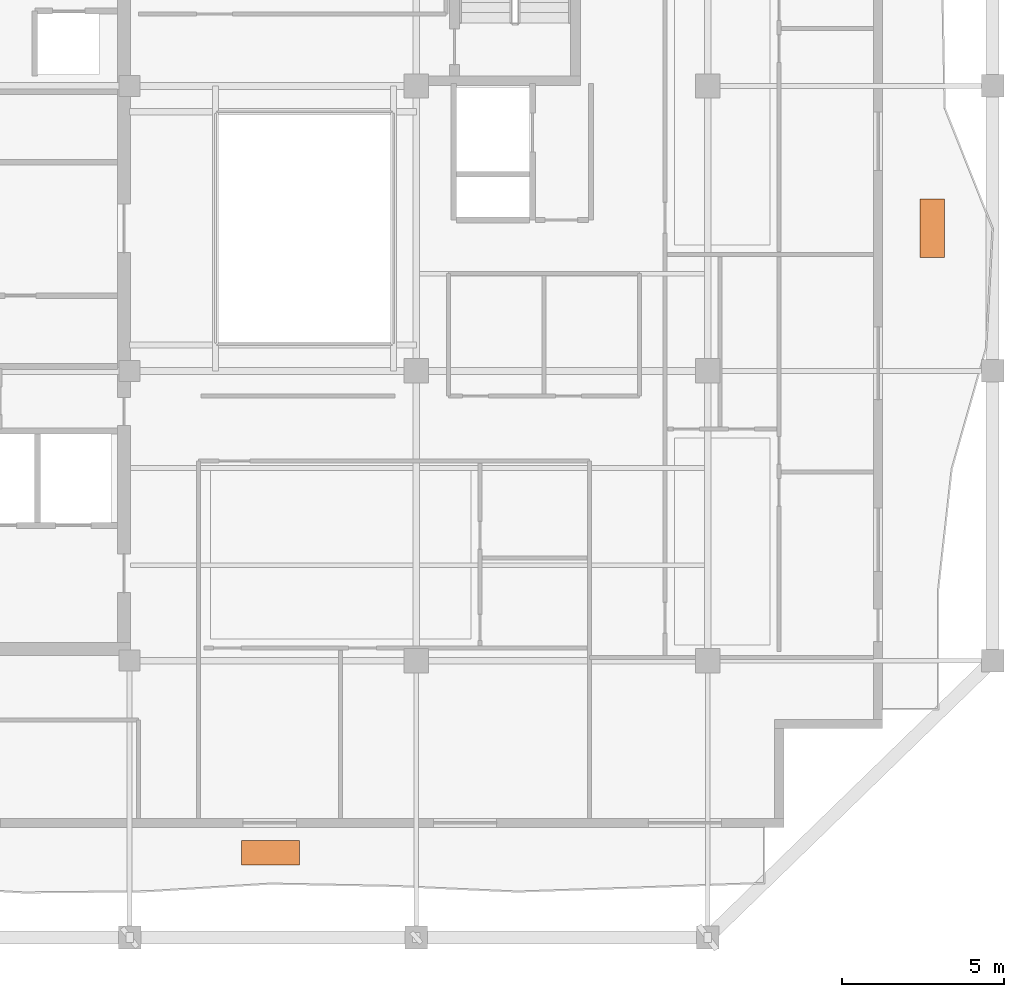
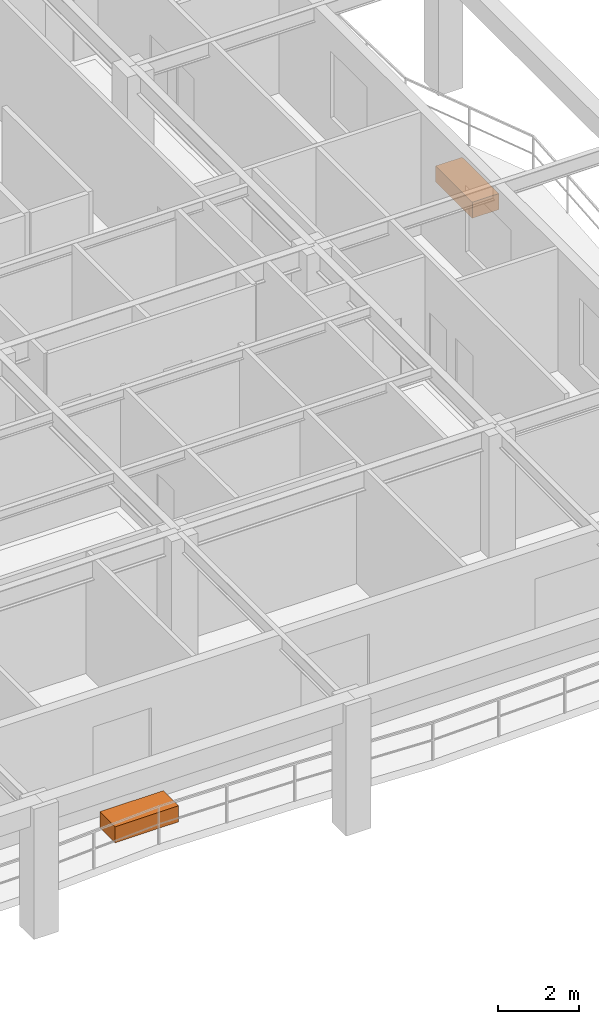
# One storey, part 10 of 10: 2 proxies.
"""IFC4 building model written with IfcOpenShell, lengths in metres."""

import ifcopenshell
import ifcopenshell.guid

model = None  # the IFC model being written
_history = None  # IfcOwnerHistory: only IFC2X3 demands one
_inside = {}  # id of a spatial element -> (the spatial element, [elements in it])
_under = {}  # id of a project, library or spatial element -> (it, [spatial elements below it])
_declared = {}  # id of a project -> (the project, [libraries it declares])
_typed = {}  # id of a type object -> (the type object, [elements of that type])
_made_of = {}  # id of a material, layer set ... -> (it, [elements and type objects made of it])


def new_model(schema):
    """Start an empty IFC model of exactly this schema.

    Asked for "IFC4X3", IfcOpenShell would pick the latest addendum, in which some entities
    have other attributes; the version numbers below select the first issue.
    IFC2X3 requires an IfcOwnerHistory on every rooted entity: one is made here for all.
    """
    global model, _history
    if schema == "IFC4X3":
        model = ifcopenshell.file(schema_version=(4, 3, 0, 0))
    else:
        model = ifcopenshell.file(schema=schema)
    _inside.clear()
    _under.clear()
    _declared.clear()
    _typed.clear()
    _made_of.clear()
    _history = None
    if model.schema == "IFC2X3":
        org = make("IfcOrganization", Name="unknown")
        user = make(
            "IfcPersonAndOrganization",
            ThePerson=make("IfcPerson", FamilyName="unknown"),
            TheOrganization=org,
        )
        app = make(
            "IfcApplication",
            ApplicationDeveloper=org,
            Version="unknown",
            ApplicationFullName="unknown",
            ApplicationIdentifier="unknown",
        )
        _history = make(
            "IfcOwnerHistory",
            OwningUser=user,
            OwningApplication=app,
            ChangeAction="ADDED",
            CreationDate=0,
        )
    return model


def make(cls, **values):
    """One entity of the class cls with the attributes given. An attribute that is None is left unset."""
    return model.create_entity(
        cls, **{name: value for name, value in values.items() if value is not None}
    )


def rooted(cls, **values):
    """An entity with a GlobalId (a new one), such as an element, a storey or a relation."""
    return make(cls, GlobalId=ifcopenshell.guid.new(), OwnerHistory=_history, **values)


def si_unit(unit_type, name, prefix=None):
    """IfcSIUnit, for example si_unit("LENGTHUNIT", "METRE", prefix="MILLI")."""
    return make("IfcSIUnit", UnitType=unit_type, Prefix=prefix, Name=name)


def assignment(units):
    """IfcUnitAssignment: the units of a project."""
    return None if units is None else make("IfcUnitAssignment", Units=units)


def point(xyz):
    """IfcCartesianPoint."""
    return None if xyz is None else make("IfcCartesianPoint", Coordinates=xyz)


def direction(xyz):
    """IfcDirection."""
    return None if xyz is None else make("IfcDirection", DirectionRatios=xyz)


def frame(location, z_axis=None, x_axis=None):
    """IfcAxis2Placement3D, a coordinate frame: its origin and axes. An axis left out is left unset."""
    return make(
        "IfcAxis2Placement3D",
        Location=point(location),
        Axis=direction(z_axis),
        RefDirection=direction(x_axis),
    )


def frame_2d(location, x_axis=None):
    """IfcAxis2Placement2D, a coordinate frame in the plane: its origin and x axis."""
    return make(
        "IfcAxis2Placement2D", Location=point(location), RefDirection=direction(x_axis)
    )


def origin():
    """The frame at (0, 0, 0) with its axes left unset."""
    return frame((0.0, 0.0, 0.0))


def origin_2d():
    """The frame at (0, 0) in the plane with its x axis left unset."""
    return frame_2d((0.0, 0.0))


def place(relative_to, where):
    """IfcLocalPlacement: puts the frame where relative to a parent placement (None: the world)."""
    return make(
        "IfcLocalPlacement", PlacementRelTo=relative_to, RelativePlacement=where
    )


def context(
    kind, dimensions, precision=None, world=None, true_north=None, identifier=None
):
    """IfcGeometricRepresentationContext, for example the 3D "Model" context."""
    return make(
        "IfcGeometricRepresentationContext",
        ContextIdentifier=identifier,
        ContextType=kind,
        CoordinateSpaceDimension=dimensions,
        Precision=precision,
        WorldCoordinateSystem=world,
        TrueNorth=true_north,
    )


def subcontext(parent, identifier, kind, view, scale=None):
    """IfcGeometricRepresentationSubContext, for example "Body" below "Model"."""
    return make(
        "IfcGeometricRepresentationSubContext",
        ContextIdentifier=identifier,
        ContextType=kind,
        ParentContext=parent,
        TargetScale=scale,
        TargetView=view,
    )


def project(units=None, contexts=None):
    """IfcProject with its units and contexts."""
    return rooted(
        "IfcProject",
        Name="project",
        RepresentationContexts=contexts,
        UnitsInContext=assignment(units),
    )


def spatial(cls, under=None, at=None, **own):
    """A site, building, storey or space (cls), placed at a placement, below another one or the project."""
    s = rooted(cls, ObjectPlacement=at, **own)
    if under is not None:
        _under.setdefault(under.id(), (under, []))[1].append(s)
    return s


def profile(cls, at=None, kind="AREA", **sizes):
    """A parametric profile (cls). Its sizes go by their IFC names, for example OverallWidth=200.0."""
    return make(cls, ProfileType=kind, Position=at, **sizes)


def rectangle(**sizes):
    """IfcRectangleProfileDef."""
    return profile("IfcRectangleProfileDef", **sizes)


def extrude(swept, where, along, depth):
    """IfcExtrudedAreaSolid: the profile swept, set in the frame where, extruded along a direction by depth."""
    return make(
        "IfcExtrudedAreaSolid",
        SweptArea=swept,
        Position=where,
        ExtrudedDirection=direction(along),
        Depth=depth,
    )


def shape(context_of_items, identifier, shape_type, items):
    """IfcShapeRepresentation: the items that make up one representation, for example the "Body"."""
    return make(
        "IfcShapeRepresentation",
        ContextOfItems=context_of_items,
        RepresentationIdentifier=identifier,
        RepresentationType=shape_type,
        Items=items,
    )


def material(Name=None, Category=None):
    """IfcMaterial."""
    return make("IfcMaterial", Name=Name, Category=Category)


def made_of(thing, what):
    """Note that an element or type object is made of a material, layer set ...; save() writes the relation."""
    if what is not None:
        _made_of.setdefault(what.id(), (what, []))[1].append(thing)
    return thing


def type_object(cls, material=None, **own):
    """A type object (cls), such as IfcWallType, which elements share."""
    return made_of(rooted(cls, **own), material)


def element(
    cls,
    number,
    at=None,
    inside=None,
    cuts=None,
    type_object=None,
    material=None,
    context=None,
    identifier="Body",
    shape_type=None,
    held_by="IfcProductDefinitionShape",
    body=None,
    shapes=None,
    **own,
):
    """One element of the class cls, such as IfcWall. Its Tag is "e" and its number.

    at: its placement. inside: the storey or other place that contains it. cuts: it is an
    opening in that element (IfcRelVoidsElement). A single representation is given by context,
    identifier, shape_type and body (its items); several are given by shapes. held_by: the class
    of the entity that holds the representations. save() writes the other relations.
    """
    e = rooted(cls, Tag="e%d" % number, ObjectPlacement=at, **own)
    if body is not None:
        shapes = [shape(context, identifier, shape_type, body)]
    if shapes is not None:
        e.Representation = make(held_by, Representations=shapes)
    if inside is not None:
        _inside.setdefault(inside.id(), (inside, []))[1].append(e)
    if cuts is not None:
        rooted(
            "IfcRelVoidsElement", RelatingBuildingElement=cuts, RelatedOpeningElement=e
        )
    if type_object is not None:
        _typed.setdefault(type_object.id(), (type_object, []))[1].append(e)
    return made_of(e, material)


def aggregate(whole, parts):
    """IfcRelAggregates: a whole, such as a stair, and the parts it consists of."""
    return rooted("IfcRelAggregates", RelatingObject=whole, RelatedObjects=parts)


def save(model, path):
    """Write the relations noted so far, then the file.

    IfcRelAggregates (storeys below a building ...), IfcRelContainedInSpatialStructure (elements
    in a storey), IfcRelDefinesByType, IfcRelAssociatesMaterial and IfcRelDeclares: one each for
    every whole, place, type object, material and project.
    """
    for whole, parts in _under.values():
        aggregate(whole, parts)
    for where, things in _inside.values():
        rooted(
            "IfcRelContainedInSpatialStructure",
            RelatedElements=things,
            RelatingStructure=where,
        )
    for kind, things in _typed.values():
        rooted("IfcRelDefinesByType", RelatedObjects=things, RelatingType=kind)
    for what, things in _made_of.values():
        rooted("IfcRelAssociatesMaterial", RelatedObjects=things, RelatingMaterial=what)
    for by, libraries in _declared.values():
        rooted("IfcRelDeclares", RelatingContext=by, RelatedDefinitions=libraries)
    model.write(path)


model = new_model("IFC4")

# Units and contexts
model_context = context("Model", 3, precision=1e-05, world=origin(), true_north=direction((0.0, 1.0)))
body_context = subcontext(model_context, "Body", "Model", "MODEL_VIEW")
ifc_project = project(units=[si_unit("LENGTHUNIT", "METRE"), si_unit("AREAUNIT", "SQUARE_METRE"), si_unit("VOLUMEUNIT", "CUBIC_METRE"), si_unit("PLANEANGLEUNIT", "RADIAN"), si_unit("MASSUNIT", "GRAM", prefix="KILO")], contexts=[model_context])

# Site, building, storey
site_placement = place(None, origin())
site = spatial("IfcSite", under=ifc_project, at=site_placement, CompositionType="ELEMENT")
building_placement = place(site_placement, origin())
building = spatial("IfcBuilding", under=site, at=building_placement, Name="Kundavana Baori Tower", CompositionType="ELEMENT")
storey_placement = place(building_placement, frame((0.0, 0.0, 276.5)))
storey = spatial("IfcBuildingStorey", under=building, at=storey_placement, Name="L68", CompositionType="ELEMENT", Elevation=276.5)

# Proxies
ifc_material = material(Name="Red-Buff Dholpur Sandstone Cladding on Concrete C40/50", Category="masonry")
building_element_proxy_type = type_object("IfcBuildingElementProxyType", Name="PRX-PLANTER-1800", PredefinedType="USERDEFINED", material=ifc_material)
for number, where, z_axis, x_axis, name in (
    (1, (29.300048828125, 9.31689453125, 0.0), (0.0, 0.0, 1.0), (1.0, 0.0, 0.0), "L68 Dholpur Stone Structural Tree Planter S"),
    (2, (49.72998046875, 28.60009765625, 0.0), (0.0, 0.0, 1.0), (0.0, 1.0, 0.0), "L68 Dholpur Stone Structural Tree Planter E"),
):
    element("IfcBuildingElementProxy", number, at=place(storey_placement, frame(where, z_axis=z_axis, x_axis=x_axis)), inside=storey, type_object=building_element_proxy_type, Name=name, ObjectType="PLANTER", PredefinedType="USERDEFINED", context=body_context, shape_type="SweptSolid", body=[
        extrude(rectangle(XDim=1.800048828125, YDim=0.75, at=origin_2d()), origin(), (0.0, 0.0, 1.0), 0.47998046875),
    ])

save(model, "model.ifc")
